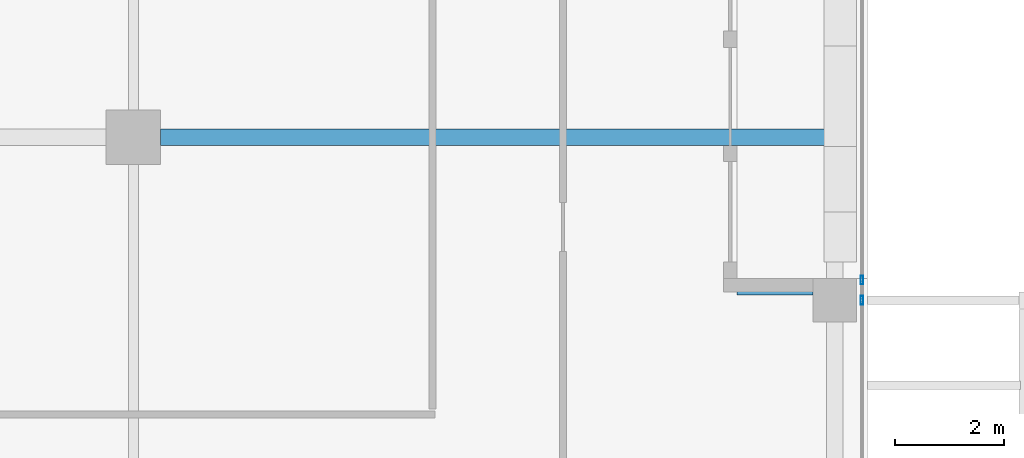
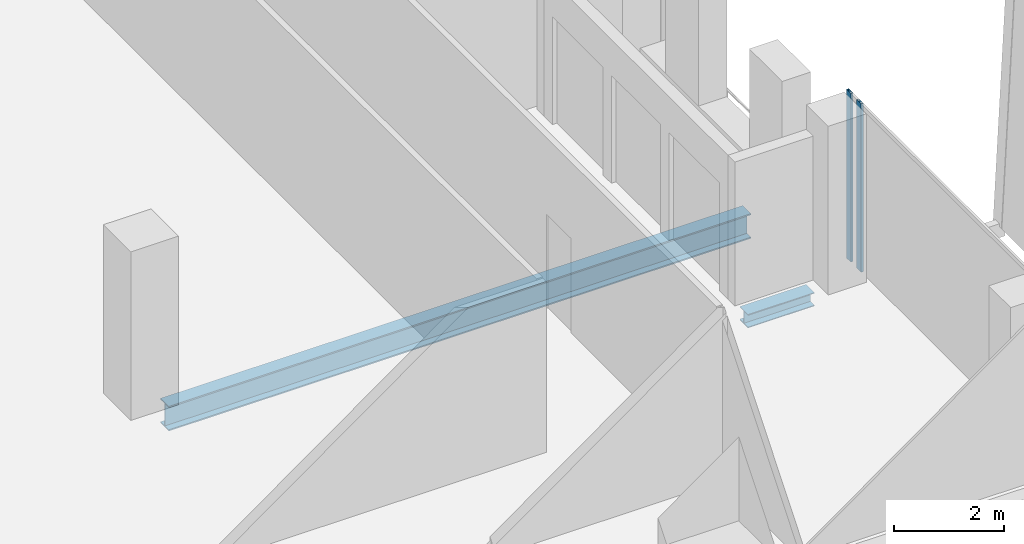
# One storey, part 9 of 32: 2 beams, 2 members, 1 element without a shape of its own.
"""IFC4 building model written with IfcOpenShell, lengths in metres."""

from ifc_helpers import new_model, si_unit, direction, frame, origin, origin_2d, place, context, subcontext, project, spatial, hollow_rectangle, i_section, extrude, source, transform, mapped, material, material_profile, profile_set, type_object, element, aggregate, save


model = new_model("IFC4")

# Units and contexts
model_context = context("Model", 3, precision=1e-05, world=origin(), true_north=direction((0.0, 1.0)))
body_context = subcontext(model_context, "Body", "Model", "MODEL_VIEW")
ifc_project = project(units=[si_unit("LENGTHUNIT", "METRE"), si_unit("AREAUNIT", "SQUARE_METRE"), si_unit("VOLUMEUNIT", "CUBIC_METRE"), si_unit("PLANEANGLEUNIT", "RADIAN"), si_unit("MASSUNIT", "GRAM", prefix="KILO")], contexts=[model_context])

# Site, building, storey
site_placement = place(None, origin())
site = spatial("IfcSite", under=ifc_project, at=site_placement, CompositionType="ELEMENT")
building_placement = place(site_placement, origin())
building = spatial("IfcBuilding", under=site, at=building_placement, Name="Khomas Fold Tower", CompositionType="ELEMENT")
storey_placement = place(building_placement, frame((0.0, 0.0, 318.199951171875)))
storey = spatial("IfcBuildingStorey", under=building, at=storey_placement, Name="L72", CompositionType="ELEMENT", Elevation=318.199951171875)

# Beams
ifc_material_1 = material(Name="Steel S355", Category="steel")
ifc_material_profile_1 = material_profile(ifc_material_1, i_section(OverallWidth=0.300048828125, OverallDepth=0.550048828125, WebThickness=0.014892578125, FlangeThickness=0.029052734375, at=origin_2d()), Name="HE 550 B")
ifc_profile_set_1 = profile_set([ifc_material_profile_1], Name="Steel S355")
beam_type_1 = type_object("IfcBeamType", Name="HE 550 B beam GB4", PredefinedType="BEAM", material=ifc_profile_set_1)
shared_shape_1 = source(origin(), body_context, "Body", "SweptSolid", [
    extrude(i_section(OverallWidth=0.300048828125, OverallDepth=0.550048828125, WebThickness=0.014892578125, FlangeThickness=0.029052734375, at=origin_2d()), origin(), (0.0, 0.0, 1.0), 12.25),
])
beam_1_placement = place(storey_placement, frame((35.0, 22.5, -0.52490234375), z_axis=(1.0, 0.0, 0.0), x_axis=(0.0, 1.0, 0.0)))
element("IfcBeam", 1, at=beam_1_placement, inside=storey, type_object=beam_type_1, Name="GB4", PredefinedType="BEAM", context=body_context, shape_type="MappedRepresentation", body=[
    mapped(shared_shape_1, transform((0.0, 0.0, 0.0))),
])
ifc_material_2 = material(Name="Steel S355", Category="steel")
ifc_material_profile_2 = material_profile(ifc_material_2, i_section(OverallWidth=0.300048828125, OverallDepth=0.300048828125, WebThickness=0.010986328125, FlangeThickness=0.01904296875, at=origin_2d()), Name="HE 300 B")
ifc_profile_set_2 = profile_set([ifc_material_profile_2], Name="Steel S355")
beam_type_2 = type_object("IfcBeamType", Name="HE 300 B beam BB1", PredefinedType="BEAM", material=ifc_profile_set_2)
shared_shape_2 = source(origin(), body_context, "Body", "SweptSolid", [
    extrude(i_section(OverallWidth=0.300048828125, OverallDepth=0.300048828125, WebThickness=0.010986328125, FlangeThickness=0.01904296875, at=origin_2d()), origin(), (0.0, 0.0, 1.0), 1.39990234375),
])
beam_2_placement = place(storey_placement, frame((45.60009765625, 19.75, -0.39990234375), z_axis=(1.0, 0.0, 0.0), x_axis=(0.0, 1.0, 0.0)))
element("IfcBeam", 2, at=beam_2_placement, inside=storey, type_object=beam_type_2, Name="BB1", PredefinedType="BEAM", context=body_context, shape_type="MappedRepresentation", body=[
    mapped(shared_shape_2, transform((0.0, 0.0, 0.0))),
])

# Curtain wall, members
ifc_material_3 = material(Name="Aluminium framed double glazing", Category="aluminium")
curtain_wall_type = type_object("IfcCurtainWallType", Name="SK-Unitised clear-glass wall, upper floors CW3", PredefinedType="NOTDEFINED", material=ifc_material_3)
curtain_wall_placement = place(storey_placement, origin())
curtain_wall = element("IfcCurtainWall", 3, at=curtain_wall_placement, inside=storey, type_object=curtain_wall_type, Name="CW3 run L72 03-0", PredefinedType="NOTDEFINED")
ifc_material_4 = material(Name="Aluminium", Category="aluminium")
ifc_material_profile_3 = material_profile(ifc_material_4, hollow_rectangle(XDim=0.050048828125, YDim=0.159912109375, WallThickness=0.00390625, at=origin_2d()), Name="SK-Unitised clear-glass wall, upper floors mullion CW3-M")
ifc_profile_set_3 = profile_set([ifc_material_profile_3], Name="Aluminium")
member_type = type_object("IfcMemberType", Name="SK-Unitised clear-glass wall, upper floors mullion CW3-M", PredefinedType="MULLION", material=ifc_profile_set_3)
shared_shape_3 = source(origin(), body_context, "Body", "SweptSolid", [
    extrude(hollow_rectangle(XDim=0.050048828125, YDim=0.159912109375, WallThickness=0.00390625, at=origin_2d()), origin(), (0.0, 0.0, 1.0), 3.75),
])
member_1_placement = place(storey_placement, frame((47.89990234375, 19.5, 0.0), z_axis=(0.0, 0.0, 1.0), x_axis=(-1.0, 0.0, 0.0)))
member_1 = element("IfcMember", 4, at=member_1_placement, type_object=member_type, Name="CW3 mullion 3", PredefinedType="MULLION", context=body_context, shape_type="MappedRepresentation", body=[
    mapped(shared_shape_3, transform((0.0, 0.0, 0.0))),
])
member_2_placement = place(storey_placement, frame((47.89990234375, 19.875, 0.0), z_axis=(0.0, 0.0, 1.0), x_axis=(-1.0, 0.0, 0.0)))
member_2 = element("IfcMember", 5, at=member_2_placement, type_object=member_type, Name="CW3 mullion 4", PredefinedType="MULLION", context=body_context, shape_type="MappedRepresentation", body=[
    mapped(shared_shape_3, transform((0.0, 0.0, 0.0))),
])
aggregate(curtain_wall, [member_1, member_2])

save(model, "model.ifc")
